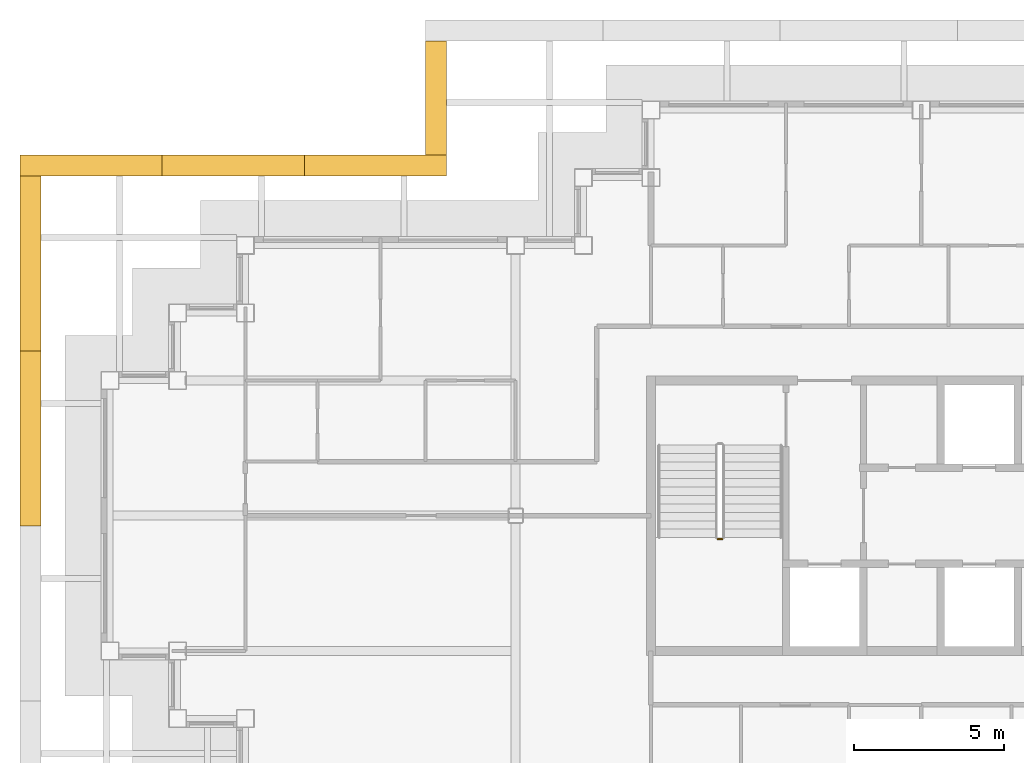
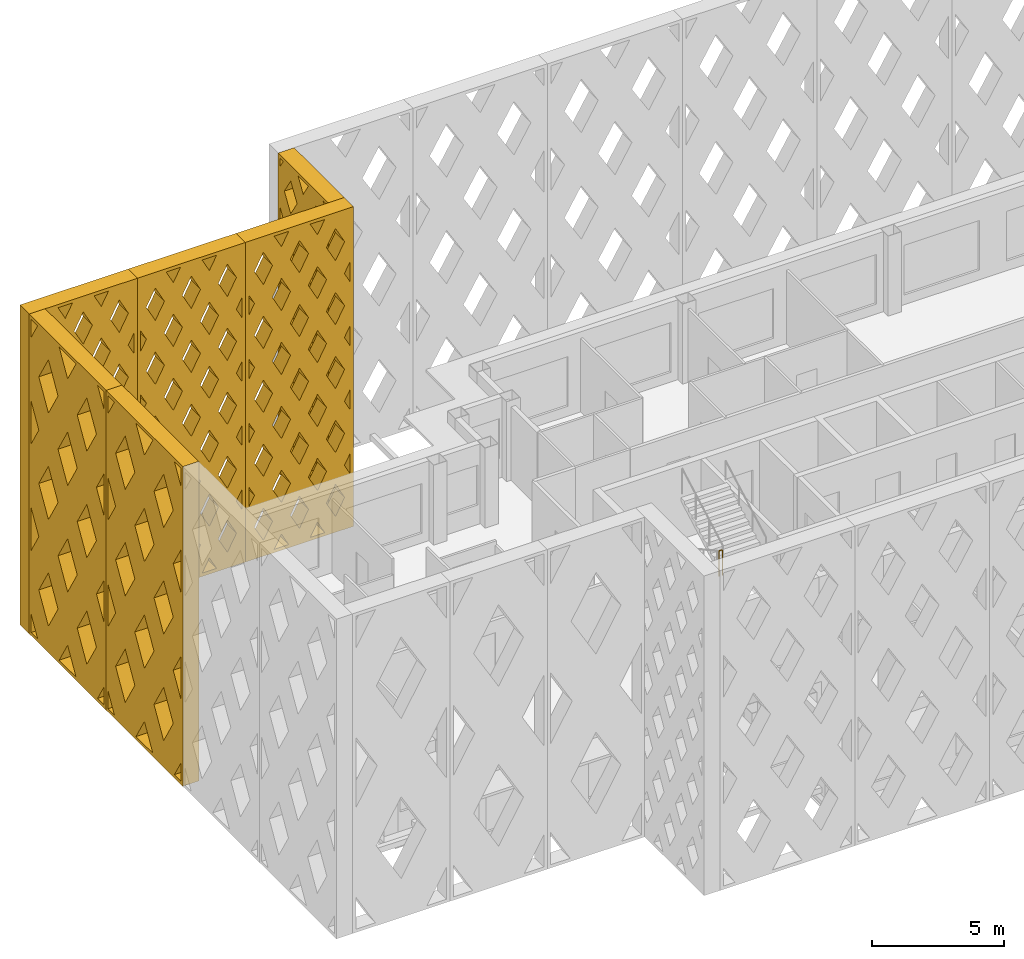
# One storey, part 10 of 15: 6 shading devices, 1 railing.
"""IFC4 building model written with IfcOpenShell, lengths in metres."""

from ifc_helpers import new_model, si_unit, direction, frame, origin, origin_2d, place, context, subcontext, project, spatial, polyline, circle, outline, extrude, material, type_object, element, save


model = new_model("IFC4")

# Units and contexts
model_context = context("Model", 3, precision=1e-05, world=origin(), true_north=direction((0.0, 1.0)))
body_context = subcontext(model_context, "Body", "Model", "MODEL_VIEW")
ifc_project = project(units=[si_unit("LENGTHUNIT", "METRE"), si_unit("AREAUNIT", "SQUARE_METRE"), si_unit("VOLUMEUNIT", "CUBIC_METRE"), si_unit("PLANEANGLEUNIT", "RADIAN"), si_unit("MASSUNIT", "GRAM", prefix="KILO")], contexts=[model_context])

# Site, building, storey
site_placement = place(None, origin())
site = spatial("IfcSite", under=ifc_project, at=site_placement, CompositionType="ELEMENT")
building_placement = place(site_placement, origin())
building = spatial("IfcBuilding", under=site, at=building_placement, Name="Caravel Reach Hotel and Residences", CompositionType="ELEMENT")
storey_placement = place(building_placement, frame((0.0, 0.0, 252.699951171875)))
storey = spatial("IfcBuildingStorey", under=building, at=storey_placement, Name="L64", CompositionType="ELEMENT", Elevation=252.699951171875)

# Shading devices
ifc_material_1 = material(Name="Black powder-coated aluminium", Category="aluminium")
shading_device_type_1 = type_object("IfcShadingDeviceType", Name="Diamond lattice screen panel 3800 x 14800", PredefinedType="USERDEFINED", material=ifc_material_1)
shading_device_1_placement = place(storey_placement, frame((11.199951171875, 42.800048828125, 0.0), z_axis=(-1.0, 0.0, 0.0), x_axis=(0.0, -1.0, 0.0)))
element("IfcShadingDevice", 1, at=shading_device_1_placement, inside=storey, type_object=shading_device_type_1, Name="Lattice screen L64-L67 6.1", ObjectType="SCREEN", PredefinedType="USERDEFINED", context=body_context, shape_type="SweptSolid", body=[
    extrude(outline(polyline([(0.0, 0.0), (3.800048828125, 0.0), (3.800048828125, 14.800048828125), (0.0, 14.800048828125), (0.0, 0.0)]), holes=[polyline([(0.389892578125, 0.14990234375), (0.14990234375, 0.523681640625), (0.14990234375, 0.14990234375), (0.389892578125, 0.14990234375)]), polyline([(0.486083984375, 2.9599609375), (0.14990234375, 3.483642578125), (0.14990234375, 2.436279296875), (0.486083984375, 2.9599609375)]), polyline([(0.486083984375, 5.919921875), (0.14990234375, 6.44384765625), (0.14990234375, 5.396240234375), (0.486083984375, 5.919921875)]), polyline([(0.486083984375, 8.8798828125), (0.14990234375, 9.40380859375), (0.14990234375, 8.356201171875), (0.486083984375, 8.8798828125)]), polyline([(0.486083984375, 11.840087890625), (0.14990234375, 12.36376953125), (0.14990234375, 11.316162109375), (0.486083984375, 11.840087890625)]), polyline([(0.14990234375, 14.2763671875), (0.389892578125, 14.64990234375), (0.14990234375, 14.64990234375), (0.14990234375, 14.2763671875)]), polyline([(0.949951171875, 2.237548828125), (0.4638671875, 1.47998046875), (0.949951171875, 0.72265625), (1.436279296875, 1.47998046875), (0.949951171875, 2.237548828125)]), polyline([(0.949951171875, 5.197509765625), (0.4638671875, 4.43994140625), (0.949951171875, 3.6826171875), (1.436279296875, 4.43994140625), (0.949951171875, 5.197509765625)]), polyline([(0.949951171875, 8.157470703125), (0.4638671875, 7.39990234375), (0.949951171875, 6.642578125), (1.436279296875, 7.39990234375), (0.949951171875, 8.157470703125)]), polyline([(0.949951171875, 11.117431640625), (0.4638671875, 10.360107421875), (0.949951171875, 9.6025390625), (1.436279296875, 10.360107421875), (0.949951171875, 11.117431640625)]), polyline([(0.949951171875, 14.077392578125), (0.4638671875, 13.320068359375), (0.949951171875, 12.5625), (1.436279296875, 13.320068359375), (0.949951171875, 14.077392578125)]), polyline([(1.89990234375, 0.75732421875), (1.510009765625, 0.14990234375), (2.289794921875, 0.14990234375), (1.89990234375, 0.75732421875)]), polyline([(1.89990234375, 3.717529296875), (1.413818359375, 2.9599609375), (1.89990234375, 2.20263671875), (2.38623046875, 2.9599609375), (1.89990234375, 3.717529296875)]), polyline([(1.89990234375, 6.677490234375), (1.413818359375, 5.919921875), (1.89990234375, 5.16259765625), (2.38623046875, 5.919921875), (1.89990234375, 6.677490234375)]), polyline([(1.89990234375, 9.637451171875), (1.413818359375, 8.8798828125), (1.89990234375, 8.12255859375), (2.38623046875, 8.8798828125), (1.89990234375, 9.637451171875)]), polyline([(1.89990234375, 12.597412109375), (1.413818359375, 11.840087890625), (1.89990234375, 11.08251953125), (2.38623046875, 11.840087890625), (1.89990234375, 12.597412109375)]), polyline([(1.89990234375, 14.04248046875), (2.289794921875, 14.64990234375), (1.510009765625, 14.64990234375), (1.89990234375, 14.04248046875)]), polyline([(2.85009765625, 2.237548828125), (2.36376953125, 1.47998046875), (2.85009765625, 0.72265625), (3.336181640625, 1.47998046875), (2.85009765625, 2.237548828125)]), polyline([(2.85009765625, 5.197509765625), (2.36376953125, 4.43994140625), (2.85009765625, 3.6826171875), (3.336181640625, 4.43994140625), (2.85009765625, 5.197509765625)]), polyline([(2.85009765625, 8.157470703125), (2.36376953125, 7.39990234375), (2.85009765625, 6.642578125), (3.336181640625, 7.39990234375), (2.85009765625, 8.157470703125)]), polyline([(2.85009765625, 11.117431640625), (2.36376953125, 10.360107421875), (2.85009765625, 9.6025390625), (3.336181640625, 10.360107421875), (2.85009765625, 11.117431640625)]), polyline([(2.85009765625, 14.077392578125), (2.36376953125, 13.320068359375), (2.85009765625, 12.5625), (3.336181640625, 13.320068359375), (2.85009765625, 14.077392578125)]), polyline([(3.64990234375, 0.523681640625), (3.41015625, 0.14990234375), (3.64990234375, 0.14990234375), (3.64990234375, 0.523681640625)]), polyline([(3.313720703125, 2.9599609375), (3.64990234375, 2.436279296875), (3.64990234375, 3.483642578125), (3.313720703125, 2.9599609375)]), polyline([(3.313720703125, 5.919921875), (3.64990234375, 5.396240234375), (3.64990234375, 6.44384765625), (3.313720703125, 5.919921875)]), polyline([(3.313720703125, 8.8798828125), (3.64990234375, 8.356201171875), (3.64990234375, 9.40380859375), (3.313720703125, 8.8798828125)]), polyline([(3.313720703125, 11.840087890625), (3.64990234375, 11.316162109375), (3.64990234375, 12.36376953125), (3.313720703125, 11.840087890625)]), polyline([(3.41015625, 14.64990234375), (3.64990234375, 14.2763671875), (3.64990234375, 14.64990234375), (3.41015625, 14.64990234375)])]), origin(), (0.0, 0.0, 1.0), 0.699951171875),
])
ifc_material_2 = material(Name="Black powder-coated aluminium", Category="aluminium")
shading_device_type_2 = type_object("IfcShadingDeviceType", Name="Diamond lattice screen panel 4733 x 14800", PredefinedType="USERDEFINED", material=ifc_material_2)
shading_device_2_placement = place(storey_placement, frame((11.199951171875, 38.300048828125, 0.0), z_axis=(0.0, 1.0, 0.0), x_axis=(-1.0, 0.0, 0.0)))
element("IfcShadingDevice", 2, at=shading_device_2_placement, inside=storey, type_object=shading_device_type_2, Name="Lattice screen L64-L67 7.1", ObjectType="SCREEN", PredefinedType="USERDEFINED", context=body_context, shape_type="SweptSolid", body=[
    extrude(outline(polyline([(0.0, 0.0), (4.7333984375, 0.0), (4.7333984375, 14.800048828125), (0.0, 14.800048828125), (0.0, 0.0)]), holes=[polyline([(0.398681640625, 2.9599609375), (0.14990234375, 3.4267578125), (0.14990234375, 2.493408203125), (0.398681640625, 2.9599609375)]), polyline([(0.398681640625, 5.919921875), (0.14990234375, 6.38671875), (0.14990234375, 5.453369140625), (0.398681640625, 5.919921875)]), polyline([(0.398681640625, 8.8798828125), (0.14990234375, 9.3466796875), (0.14990234375, 8.413330078125), (0.398681640625, 8.8798828125)]), polyline([(0.398681640625, 11.840087890625), (0.14990234375, 12.306640625), (0.14990234375, 11.373291015625), (0.398681640625, 11.840087890625)]), polyline([(0.788818359375, 2.22802734375), (0.39013671875, 1.47998046875), (0.788818359375, 0.73193359375), (1.187744140625, 1.47998046875), (0.788818359375, 2.22802734375)]), polyline([(0.788818359375, 5.18798828125), (0.39013671875, 4.43994140625), (0.788818359375, 3.69189453125), (1.187744140625, 4.43994140625), (0.788818359375, 5.18798828125)]), polyline([(0.788818359375, 8.14794921875), (0.39013671875, 7.39990234375), (0.788818359375, 6.65185546875), (1.187744140625, 7.39990234375), (0.788818359375, 8.14794921875)]), polyline([(0.788818359375, 11.108154296875), (0.39013671875, 10.360107421875), (0.788818359375, 9.612060546875), (1.187744140625, 10.360107421875), (0.788818359375, 11.108154296875)]), polyline([(0.788818359375, 14.068115234375), (0.39013671875, 13.320068359375), (0.788818359375, 12.572021484375), (1.187744140625, 13.320068359375), (0.788818359375, 14.068115234375)]), polyline([(1.577880859375, 0.748046875), (1.259033203125, 0.14990234375), (1.896484375, 0.14990234375), (1.577880859375, 0.748046875)]), polyline([(1.577880859375, 3.7080078125), (1.178955078125, 2.9599609375), (1.577880859375, 2.2119140625), (1.9765625, 2.9599609375), (1.577880859375, 3.7080078125)]), polyline([(1.577880859375, 6.66796875), (1.178955078125, 5.919921875), (1.577880859375, 5.171875), (1.9765625, 5.919921875), (1.577880859375, 6.66796875)]), polyline([(1.577880859375, 9.6279296875), (1.178955078125, 8.8798828125), (1.577880859375, 8.1318359375), (1.9765625, 8.8798828125), (1.577880859375, 9.6279296875)]), polyline([(1.577880859375, 12.588134765625), (1.178955078125, 11.840087890625), (1.577880859375, 11.092041015625), (1.9765625, 11.840087890625), (1.577880859375, 12.588134765625)]), polyline([(1.577880859375, 14.052001953125), (1.896484375, 14.64990234375), (1.259033203125, 14.64990234375), (1.577880859375, 14.052001953125)]), polyline([(2.36669921875, 2.22802734375), (1.968017578125, 1.47998046875), (2.36669921875, 0.73193359375), (2.765380859375, 1.47998046875), (2.36669921875, 2.22802734375)]), polyline([(2.36669921875, 5.18798828125), (1.968017578125, 4.43994140625), (2.36669921875, 3.69189453125), (2.765380859375, 4.43994140625), (2.36669921875, 5.18798828125)]), polyline([(2.36669921875, 8.14794921875), (1.968017578125, 7.39990234375), (2.36669921875, 6.65185546875), (2.765380859375, 7.39990234375), (2.36669921875, 8.14794921875)]), polyline([(2.36669921875, 11.108154296875), (1.968017578125, 10.360107421875), (2.36669921875, 9.612060546875), (2.765380859375, 10.360107421875), (2.36669921875, 11.108154296875)]), polyline([(2.36669921875, 14.068115234375), (1.968017578125, 13.320068359375), (2.36669921875, 12.572021484375), (2.765380859375, 13.320068359375), (2.36669921875, 14.068115234375)]), polyline([(3.155517578125, 0.748046875), (2.836669921875, 0.14990234375), (3.474365234375, 0.14990234375), (3.155517578125, 0.748046875)]), polyline([(3.155517578125, 3.7080078125), (2.7568359375, 2.9599609375), (3.155517578125, 2.2119140625), (3.55419921875, 2.9599609375), (3.155517578125, 3.7080078125)]), polyline([(3.155517578125, 6.66796875), (2.7568359375, 5.919921875), (3.155517578125, 5.171875), (3.55419921875, 5.919921875), (3.155517578125, 6.66796875)]), polyline([(3.155517578125, 9.6279296875), (2.7568359375, 8.8798828125), (3.155517578125, 8.1318359375), (3.55419921875, 8.8798828125), (3.155517578125, 9.6279296875)]), polyline([(3.155517578125, 12.588134765625), (2.7568359375, 11.840087890625), (3.155517578125, 11.092041015625), (3.55419921875, 11.840087890625), (3.155517578125, 12.588134765625)]), polyline([(3.155517578125, 14.052001953125), (3.474365234375, 14.64990234375), (2.836669921875, 14.64990234375), (3.155517578125, 14.052001953125)]), polyline([(3.9443359375, 2.22802734375), (3.545654296875, 1.47998046875), (3.9443359375, 0.73193359375), (4.34326171875, 1.47998046875), (3.9443359375, 2.22802734375)]), polyline([(3.9443359375, 5.18798828125), (3.545654296875, 4.43994140625), (3.9443359375, 3.69189453125), (4.34326171875, 4.43994140625), (3.9443359375, 5.18798828125)]), polyline([(3.9443359375, 8.14794921875), (3.545654296875, 7.39990234375), (3.9443359375, 6.65185546875), (4.34326171875, 7.39990234375), (3.9443359375, 8.14794921875)]), polyline([(3.9443359375, 11.108154296875), (3.545654296875, 10.360107421875), (3.9443359375, 9.612060546875), (4.34326171875, 10.360107421875), (3.9443359375, 11.108154296875)]), polyline([(3.9443359375, 14.068115234375), (3.545654296875, 13.320068359375), (3.9443359375, 12.572021484375), (4.34326171875, 13.320068359375), (3.9443359375, 14.068115234375)]), polyline([(4.334716796875, 2.9599609375), (4.583251953125, 2.493408203125), (4.583251953125, 3.4267578125), (4.334716796875, 2.9599609375)]), polyline([(4.334716796875, 5.919921875), (4.583251953125, 5.453369140625), (4.583251953125, 6.38671875), (4.334716796875, 5.919921875)]), polyline([(4.334716796875, 8.8798828125), (4.583251953125, 8.413330078125), (4.583251953125, 9.3466796875), (4.334716796875, 8.8798828125)]), polyline([(4.334716796875, 11.840087890625), (4.583251953125, 11.373291015625), (4.583251953125, 12.306640625), (4.334716796875, 11.840087890625)])]), origin(), (0.0, 0.0, 1.0), 0.699951171875),
])
shading_device_3_placement = place(storey_placement, frame((6.466552734375, 38.300048828125, 0.0), z_axis=(0.0, 1.0, 0.0), x_axis=(-1.0, 0.0, 0.0)))
element("IfcShadingDevice", 3, at=shading_device_3_placement, inside=storey, type_object=shading_device_type_2, Name="Lattice screen L64-L67 7.2", ObjectType="SCREEN", PredefinedType="USERDEFINED", context=body_context, shape_type="SweptSolid", body=[
    extrude(outline(polyline([(0.0, 0.0), (4.7333984375, 0.0), (4.7333984375, 14.800048828125), (0.0, 14.800048828125), (0.0, 0.0)]), holes=[polyline([(0.398681640625, 2.9599609375), (0.14990234375, 3.4267578125), (0.14990234375, 2.493408203125), (0.398681640625, 2.9599609375)]), polyline([(0.398681640625, 5.919921875), (0.14990234375, 6.38671875), (0.14990234375, 5.453369140625), (0.398681640625, 5.919921875)]), polyline([(0.398681640625, 8.8798828125), (0.14990234375, 9.3466796875), (0.14990234375, 8.413330078125), (0.398681640625, 8.8798828125)]), polyline([(0.398681640625, 11.840087890625), (0.14990234375, 12.306640625), (0.14990234375, 11.373291015625), (0.398681640625, 11.840087890625)]), polyline([(0.788818359375, 2.22802734375), (0.39013671875, 1.47998046875), (0.788818359375, 0.73193359375), (1.187744140625, 1.47998046875), (0.788818359375, 2.22802734375)]), polyline([(0.788818359375, 5.18798828125), (0.39013671875, 4.43994140625), (0.788818359375, 3.69189453125), (1.187744140625, 4.43994140625), (0.788818359375, 5.18798828125)]), polyline([(0.788818359375, 8.14794921875), (0.39013671875, 7.39990234375), (0.788818359375, 6.65185546875), (1.187744140625, 7.39990234375), (0.788818359375, 8.14794921875)]), polyline([(0.788818359375, 11.108154296875), (0.39013671875, 10.360107421875), (0.788818359375, 9.612060546875), (1.187744140625, 10.360107421875), (0.788818359375, 11.108154296875)]), polyline([(0.788818359375, 14.068115234375), (0.39013671875, 13.320068359375), (0.788818359375, 12.572021484375), (1.187744140625, 13.320068359375), (0.788818359375, 14.068115234375)]), polyline([(1.577880859375, 0.748046875), (1.259033203125, 0.14990234375), (1.896484375, 0.14990234375), (1.577880859375, 0.748046875)]), polyline([(1.577880859375, 3.7080078125), (1.178955078125, 2.9599609375), (1.577880859375, 2.2119140625), (1.9765625, 2.9599609375), (1.577880859375, 3.7080078125)]), polyline([(1.577880859375, 6.66796875), (1.178955078125, 5.919921875), (1.577880859375, 5.171875), (1.9765625, 5.919921875), (1.577880859375, 6.66796875)]), polyline([(1.577880859375, 9.6279296875), (1.178955078125, 8.8798828125), (1.577880859375, 8.1318359375), (1.9765625, 8.8798828125), (1.577880859375, 9.6279296875)]), polyline([(1.577880859375, 12.588134765625), (1.178955078125, 11.840087890625), (1.577880859375, 11.092041015625), (1.9765625, 11.840087890625), (1.577880859375, 12.588134765625)]), polyline([(1.577880859375, 14.052001953125), (1.896484375, 14.64990234375), (1.259033203125, 14.64990234375), (1.577880859375, 14.052001953125)]), polyline([(2.36669921875, 2.22802734375), (1.968017578125, 1.47998046875), (2.36669921875, 0.73193359375), (2.765380859375, 1.47998046875), (2.36669921875, 2.22802734375)]), polyline([(2.36669921875, 5.18798828125), (1.968017578125, 4.43994140625), (2.36669921875, 3.69189453125), (2.765380859375, 4.43994140625), (2.36669921875, 5.18798828125)]), polyline([(2.36669921875, 8.14794921875), (1.968017578125, 7.39990234375), (2.36669921875, 6.65185546875), (2.765380859375, 7.39990234375), (2.36669921875, 8.14794921875)]), polyline([(2.36669921875, 11.108154296875), (1.968017578125, 10.360107421875), (2.36669921875, 9.612060546875), (2.765380859375, 10.360107421875), (2.36669921875, 11.108154296875)]), polyline([(2.36669921875, 14.068115234375), (1.968017578125, 13.320068359375), (2.36669921875, 12.572021484375), (2.765380859375, 13.320068359375), (2.36669921875, 14.068115234375)]), polyline([(3.155517578125, 0.748046875), (2.836669921875, 0.14990234375), (3.474365234375, 0.14990234375), (3.155517578125, 0.748046875)]), polyline([(3.155517578125, 3.7080078125), (2.7568359375, 2.9599609375), (3.155517578125, 2.2119140625), (3.55419921875, 2.9599609375), (3.155517578125, 3.7080078125)]), polyline([(3.155517578125, 6.66796875), (2.7568359375, 5.919921875), (3.155517578125, 5.171875), (3.55419921875, 5.919921875), (3.155517578125, 6.66796875)]), polyline([(3.155517578125, 9.6279296875), (2.7568359375, 8.8798828125), (3.155517578125, 8.1318359375), (3.55419921875, 8.8798828125), (3.155517578125, 9.6279296875)]), polyline([(3.155517578125, 12.588134765625), (2.7568359375, 11.840087890625), (3.155517578125, 11.092041015625), (3.55419921875, 11.840087890625), (3.155517578125, 12.588134765625)]), polyline([(3.155517578125, 14.052001953125), (3.474365234375, 14.64990234375), (2.836669921875, 14.64990234375), (3.155517578125, 14.052001953125)]), polyline([(3.9443359375, 2.22802734375), (3.545654296875, 1.47998046875), (3.9443359375, 0.73193359375), (4.34326171875, 1.47998046875), (3.9443359375, 2.22802734375)]), polyline([(3.9443359375, 5.18798828125), (3.545654296875, 4.43994140625), (3.9443359375, 3.69189453125), (4.34326171875, 4.43994140625), (3.9443359375, 5.18798828125)]), polyline([(3.9443359375, 8.14794921875), (3.545654296875, 7.39990234375), (3.9443359375, 6.65185546875), (4.34326171875, 7.39990234375), (3.9443359375, 8.14794921875)]), polyline([(3.9443359375, 11.108154296875), (3.545654296875, 10.360107421875), (3.9443359375, 9.612060546875), (4.34326171875, 10.360107421875), (3.9443359375, 11.108154296875)]), polyline([(3.9443359375, 14.068115234375), (3.545654296875, 13.320068359375), (3.9443359375, 12.572021484375), (4.34326171875, 13.320068359375), (3.9443359375, 14.068115234375)]), polyline([(4.334716796875, 2.9599609375), (4.583251953125, 2.493408203125), (4.583251953125, 3.4267578125), (4.334716796875, 2.9599609375)]), polyline([(4.334716796875, 5.919921875), (4.583251953125, 5.453369140625), (4.583251953125, 6.38671875), (4.334716796875, 5.919921875)]), polyline([(4.334716796875, 8.8798828125), (4.583251953125, 8.413330078125), (4.583251953125, 9.3466796875), (4.334716796875, 8.8798828125)]), polyline([(4.334716796875, 11.840087890625), (4.583251953125, 11.373291015625), (4.583251953125, 12.306640625), (4.334716796875, 11.840087890625)])]), origin(), (0.0, 0.0, 1.0), 0.699951171875),
])
shading_device_4_placement = place(storey_placement, frame((1.7333984375, 38.300048828125, 0.0), z_axis=(0.0, 1.0, 0.0), x_axis=(-1.0, 0.0, 0.0)))
element("IfcShadingDevice", 4, at=shading_device_4_placement, inside=storey, type_object=shading_device_type_2, Name="Lattice screen L64-L67 7.3", ObjectType="SCREEN", PredefinedType="USERDEFINED", context=body_context, shape_type="SweptSolid", body=[
    extrude(outline(polyline([(0.0, 0.0), (4.7333984375, 0.0), (4.7333984375, 14.800048828125), (0.0, 14.800048828125), (0.0, 0.0)]), holes=[polyline([(0.398681640625, 2.9599609375), (0.14990234375, 3.4267578125), (0.14990234375, 2.493408203125), (0.398681640625, 2.9599609375)]), polyline([(0.398681640625, 5.919921875), (0.14990234375, 6.38671875), (0.14990234375, 5.453369140625), (0.398681640625, 5.919921875)]), polyline([(0.398681640625, 8.8798828125), (0.14990234375, 9.3466796875), (0.14990234375, 8.413330078125), (0.398681640625, 8.8798828125)]), polyline([(0.398681640625, 11.840087890625), (0.14990234375, 12.306640625), (0.14990234375, 11.373291015625), (0.398681640625, 11.840087890625)]), polyline([(0.788818359375, 2.22802734375), (0.39013671875, 1.47998046875), (0.788818359375, 0.73193359375), (1.187744140625, 1.47998046875), (0.788818359375, 2.22802734375)]), polyline([(0.788818359375, 5.18798828125), (0.39013671875, 4.43994140625), (0.788818359375, 3.69189453125), (1.187744140625, 4.43994140625), (0.788818359375, 5.18798828125)]), polyline([(0.788818359375, 8.14794921875), (0.39013671875, 7.39990234375), (0.788818359375, 6.65185546875), (1.187744140625, 7.39990234375), (0.788818359375, 8.14794921875)]), polyline([(0.788818359375, 11.108154296875), (0.39013671875, 10.360107421875), (0.788818359375, 9.612060546875), (1.187744140625, 10.360107421875), (0.788818359375, 11.108154296875)]), polyline([(0.788818359375, 14.068115234375), (0.39013671875, 13.320068359375), (0.788818359375, 12.572021484375), (1.187744140625, 13.320068359375), (0.788818359375, 14.068115234375)]), polyline([(1.577880859375, 0.748046875), (1.259033203125, 0.14990234375), (1.896484375, 0.14990234375), (1.577880859375, 0.748046875)]), polyline([(1.577880859375, 3.7080078125), (1.178955078125, 2.9599609375), (1.577880859375, 2.2119140625), (1.9765625, 2.9599609375), (1.577880859375, 3.7080078125)]), polyline([(1.577880859375, 6.66796875), (1.178955078125, 5.919921875), (1.577880859375, 5.171875), (1.9765625, 5.919921875), (1.577880859375, 6.66796875)]), polyline([(1.577880859375, 9.6279296875), (1.178955078125, 8.8798828125), (1.577880859375, 8.1318359375), (1.9765625, 8.8798828125), (1.577880859375, 9.6279296875)]), polyline([(1.577880859375, 12.588134765625), (1.178955078125, 11.840087890625), (1.577880859375, 11.092041015625), (1.9765625, 11.840087890625), (1.577880859375, 12.588134765625)]), polyline([(1.577880859375, 14.052001953125), (1.896484375, 14.64990234375), (1.259033203125, 14.64990234375), (1.577880859375, 14.052001953125)]), polyline([(2.36669921875, 2.22802734375), (1.968017578125, 1.47998046875), (2.36669921875, 0.73193359375), (2.765380859375, 1.47998046875), (2.36669921875, 2.22802734375)]), polyline([(2.36669921875, 5.18798828125), (1.968017578125, 4.43994140625), (2.36669921875, 3.69189453125), (2.765380859375, 4.43994140625), (2.36669921875, 5.18798828125)]), polyline([(2.36669921875, 8.14794921875), (1.968017578125, 7.39990234375), (2.36669921875, 6.65185546875), (2.765380859375, 7.39990234375), (2.36669921875, 8.14794921875)]), polyline([(2.36669921875, 11.108154296875), (1.968017578125, 10.360107421875), (2.36669921875, 9.612060546875), (2.765380859375, 10.360107421875), (2.36669921875, 11.108154296875)]), polyline([(2.36669921875, 14.068115234375), (1.968017578125, 13.320068359375), (2.36669921875, 12.572021484375), (2.765380859375, 13.320068359375), (2.36669921875, 14.068115234375)]), polyline([(3.155517578125, 0.748046875), (2.836669921875, 0.14990234375), (3.474365234375, 0.14990234375), (3.155517578125, 0.748046875)]), polyline([(3.155517578125, 3.7080078125), (2.7568359375, 2.9599609375), (3.155517578125, 2.2119140625), (3.55419921875, 2.9599609375), (3.155517578125, 3.7080078125)]), polyline([(3.155517578125, 6.66796875), (2.7568359375, 5.919921875), (3.155517578125, 5.171875), (3.55419921875, 5.919921875), (3.155517578125, 6.66796875)]), polyline([(3.155517578125, 9.6279296875), (2.7568359375, 8.8798828125), (3.155517578125, 8.1318359375), (3.55419921875, 8.8798828125), (3.155517578125, 9.6279296875)]), polyline([(3.155517578125, 12.588134765625), (2.7568359375, 11.840087890625), (3.155517578125, 11.092041015625), (3.55419921875, 11.840087890625), (3.155517578125, 12.588134765625)]), polyline([(3.155517578125, 14.052001953125), (3.474365234375, 14.64990234375), (2.836669921875, 14.64990234375), (3.155517578125, 14.052001953125)]), polyline([(3.9443359375, 2.22802734375), (3.545654296875, 1.47998046875), (3.9443359375, 0.73193359375), (4.34326171875, 1.47998046875), (3.9443359375, 2.22802734375)]), polyline([(3.9443359375, 5.18798828125), (3.545654296875, 4.43994140625), (3.9443359375, 3.69189453125), (4.34326171875, 4.43994140625), (3.9443359375, 5.18798828125)]), polyline([(3.9443359375, 8.14794921875), (3.545654296875, 7.39990234375), (3.9443359375, 6.65185546875), (4.34326171875, 7.39990234375), (3.9443359375, 8.14794921875)]), polyline([(3.9443359375, 11.108154296875), (3.545654296875, 10.360107421875), (3.9443359375, 9.612060546875), (4.34326171875, 10.360107421875), (3.9443359375, 11.108154296875)]), polyline([(3.9443359375, 14.068115234375), (3.545654296875, 13.320068359375), (3.9443359375, 12.572021484375), (4.34326171875, 13.320068359375), (3.9443359375, 14.068115234375)]), polyline([(4.334716796875, 2.9599609375), (4.583251953125, 2.493408203125), (4.583251953125, 3.4267578125), (4.334716796875, 2.9599609375)]), polyline([(4.334716796875, 5.919921875), (4.583251953125, 5.453369140625), (4.583251953125, 6.38671875), (4.334716796875, 5.919921875)]), polyline([(4.334716796875, 8.8798828125), (4.583251953125, 8.413330078125), (4.583251953125, 9.3466796875), (4.334716796875, 8.8798828125)]), polyline([(4.334716796875, 11.840087890625), (4.583251953125, 11.373291015625), (4.583251953125, 12.306640625), (4.334716796875, 11.840087890625)])]), origin(), (0.0, 0.0, 1.0), 0.699951171875),
])
ifc_material_3 = material(Name="Black powder-coated aluminium", Category="aluminium")
shading_device_type_3 = type_object("IfcShadingDeviceType", Name="Diamond lattice screen panel 5825 x 14800", PredefinedType="USERDEFINED", material=ifc_material_3)
shading_device_5_placement = place(storey_placement, frame((-2.300048828125, 38.300048828125, 0.0), z_axis=(-1.0, 0.0, 0.0), x_axis=(0.0, -1.0, 0.0)))
element("IfcShadingDevice", 5, at=shading_device_5_placement, inside=storey, type_object=shading_device_type_3, Name="Lattice screen L64-L67 8.1", ObjectType="SCREEN", PredefinedType="USERDEFINED", context=body_context, shape_type="SweptSolid", body=[
    extrude(outline(polyline([(0.0, 0.0), (5.824951171875, 0.0), (5.824951171875, 14.800048828125), (0.0, 14.800048828125), (0.0, 0.0)]), holes=[polyline([(0.64208984375, 0.14990234375), (0.14990234375, 0.9833984375), (0.14990234375, 0.14990234375), (0.64208984375, 0.14990234375)]), polyline([(0.730712890625, 4.933349609375), (0.14990234375, 5.916748046875), (0.14990234375, 3.949951171875), (0.730712890625, 4.933349609375)]), polyline([(0.730712890625, 9.86669921875), (0.14990234375, 10.85009765625), (0.14990234375, 8.88330078125), (0.730712890625, 9.86669921875)]), polyline([(0.14990234375, 13.816650390625), (0.64208984375, 14.64990234375), (0.14990234375, 14.64990234375), (0.14990234375, 13.816650390625)]), polyline([(1.456298828125, 3.7041015625), (0.7255859375, 2.466552734375), (1.456298828125, 1.229248046875), (2.186767578125, 2.466552734375), (1.456298828125, 3.7041015625)]), polyline([(1.456298828125, 8.637451171875), (0.7255859375, 7.39990234375), (1.456298828125, 6.16259765625), (2.186767578125, 7.39990234375), (1.456298828125, 8.637451171875)]), polyline([(1.456298828125, 13.57080078125), (0.7255859375, 12.333251953125), (1.456298828125, 11.095703125), (2.186767578125, 12.333251953125), (1.456298828125, 13.57080078125)]), polyline([(2.91259765625, 1.237548828125), (2.2705078125, 0.14990234375), (3.554443359375, 0.14990234375), (2.91259765625, 1.237548828125)]), polyline([(2.91259765625, 6.1708984375), (2.181884765625, 4.933349609375), (2.91259765625, 3.69580078125), (3.64306640625, 4.933349609375), (2.91259765625, 6.1708984375)]), polyline([(2.91259765625, 11.104248046875), (2.181884765625, 9.86669921875), (2.91259765625, 8.629150390625), (3.64306640625, 9.86669921875), (2.91259765625, 11.104248046875)]), polyline([(2.91259765625, 13.5625), (3.554443359375, 14.64990234375), (2.2705078125, 14.64990234375), (2.91259765625, 13.5625)]), polyline([(4.36865234375, 3.7041015625), (3.63818359375, 2.466552734375), (4.36865234375, 1.229248046875), (5.099365234375, 2.466552734375), (4.36865234375, 3.7041015625)]), polyline([(4.36865234375, 8.637451171875), (3.63818359375, 7.39990234375), (4.36865234375, 6.16259765625), (5.099365234375, 7.39990234375), (4.36865234375, 8.637451171875)]), polyline([(4.36865234375, 13.57080078125), (3.63818359375, 12.333251953125), (4.36865234375, 11.095703125), (5.099365234375, 12.333251953125), (4.36865234375, 13.57080078125)]), polyline([(5.675048828125, 0.9833984375), (5.182861328125, 0.14990234375), (5.675048828125, 0.14990234375), (5.675048828125, 0.9833984375)]), polyline([(5.094482421875, 4.933349609375), (5.675048828125, 3.949951171875), (5.675048828125, 5.916748046875), (5.094482421875, 4.933349609375)]), polyline([(5.094482421875, 9.86669921875), (5.675048828125, 8.88330078125), (5.675048828125, 10.85009765625), (5.094482421875, 9.86669921875)]), polyline([(5.182861328125, 14.64990234375), (5.675048828125, 13.816650390625), (5.675048828125, 14.64990234375), (5.182861328125, 14.64990234375)])]), origin(), (0.0, 0.0, 1.0), 0.699951171875),
])
shading_device_6_placement = place(storey_placement, frame((-2.300048828125, 32.47509765625, 0.0), z_axis=(-1.0, 0.0, 0.0), x_axis=(0.0, -1.0, 0.0)))
element("IfcShadingDevice", 6, at=shading_device_6_placement, inside=storey, type_object=shading_device_type_3, Name="Lattice screen L64-L67 8.2", ObjectType="SCREEN", PredefinedType="USERDEFINED", context=body_context, shape_type="SweptSolid", body=[
    extrude(outline(polyline([(0.0, 0.0), (5.824951171875, 0.0), (5.824951171875, 14.800048828125), (0.0, 14.800048828125), (0.0, 0.0)]), holes=[polyline([(0.64208984375, 0.14990234375), (0.14990234375, 0.9833984375), (0.14990234375, 0.14990234375), (0.64208984375, 0.14990234375)]), polyline([(0.730712890625, 4.933349609375), (0.14990234375, 5.916748046875), (0.14990234375, 3.949951171875), (0.730712890625, 4.933349609375)]), polyline([(0.730712890625, 9.86669921875), (0.14990234375, 10.85009765625), (0.14990234375, 8.88330078125), (0.730712890625, 9.86669921875)]), polyline([(0.14990234375, 13.816650390625), (0.64208984375, 14.64990234375), (0.14990234375, 14.64990234375), (0.14990234375, 13.816650390625)]), polyline([(1.456298828125, 3.7041015625), (0.7255859375, 2.466552734375), (1.456298828125, 1.229248046875), (2.186767578125, 2.466552734375), (1.456298828125, 3.7041015625)]), polyline([(1.456298828125, 8.637451171875), (0.7255859375, 7.39990234375), (1.456298828125, 6.16259765625), (2.186767578125, 7.39990234375), (1.456298828125, 8.637451171875)]), polyline([(1.456298828125, 13.57080078125), (0.7255859375, 12.333251953125), (1.456298828125, 11.095703125), (2.186767578125, 12.333251953125), (1.456298828125, 13.57080078125)]), polyline([(2.91259765625, 1.237548828125), (2.2705078125, 0.14990234375), (3.554443359375, 0.14990234375), (2.91259765625, 1.237548828125)]), polyline([(2.91259765625, 6.1708984375), (2.181884765625, 4.933349609375), (2.91259765625, 3.69580078125), (3.64306640625, 4.933349609375), (2.91259765625, 6.1708984375)]), polyline([(2.91259765625, 11.104248046875), (2.181884765625, 9.86669921875), (2.91259765625, 8.629150390625), (3.64306640625, 9.86669921875), (2.91259765625, 11.104248046875)]), polyline([(2.91259765625, 13.5625), (3.554443359375, 14.64990234375), (2.2705078125, 14.64990234375), (2.91259765625, 13.5625)]), polyline([(4.36865234375, 3.7041015625), (3.63818359375, 2.466552734375), (4.36865234375, 1.229248046875), (5.099365234375, 2.466552734375), (4.36865234375, 3.7041015625)]), polyline([(4.36865234375, 8.637451171875), (3.63818359375, 7.39990234375), (4.36865234375, 6.16259765625), (5.099365234375, 7.39990234375), (4.36865234375, 8.637451171875)]), polyline([(4.36865234375, 13.57080078125), (3.63818359375, 12.333251953125), (4.36865234375, 11.095703125), (5.099365234375, 12.333251953125), (4.36865234375, 13.57080078125)]), polyline([(5.675048828125, 0.9833984375), (5.182861328125, 0.14990234375), (5.675048828125, 0.14990234375), (5.675048828125, 0.9833984375)]), polyline([(5.094482421875, 4.933349609375), (5.675048828125, 3.949951171875), (5.675048828125, 5.916748046875), (5.094482421875, 4.933349609375)]), polyline([(5.094482421875, 9.86669921875), (5.675048828125, 8.88330078125), (5.675048828125, 10.85009765625), (5.094482421875, 9.86669921875)]), polyline([(5.182861328125, 14.64990234375), (5.675048828125, 13.816650390625), (5.675048828125, 14.64990234375), (5.182861328125, 14.64990234375)])]), origin(), (0.0, 0.0, 1.0), 0.699951171875),
])

# Railing
ifc_material_4 = material(Name="Steel balustrade with glass infill", Category="steel")
railing_type = type_object("IfcRailingType", Name="Guard 1200", PredefinedType="GUARDRAIL", material=ifc_material_4)
railing_placement = place(storey_placement, frame((20.22509765625, 26.219970703125, 1.85009765625)))
element("IfcRailing", 7, at=railing_placement, inside=storey, type_object=railing_type, Name="L64 ST-A stair guard 2", PredefinedType="GUARDRAIL", context=body_context, shape_type="SweptSolid", body=[
    extrude(circle(Radius=0.02392578125, at=origin_2d()), frame((0.0, 0.0, 1.17578125), z_axis=(1.0, 0.0, 0.0), x_axis=(0.0, 1.0, 0.0)), (0.0, 0.0, 1.0), 0.14990234375),
    extrude(circle(Radius=0.02099609375, at=origin_2d()), origin(), (0.0, 0.0, 1.0), 1.15185546875),
    extrude(circle(Radius=0.02099609375, at=origin_2d()), frame((0.14990234375, 0.0, 0.0)), (0.0, 0.0, 1.0), 1.15185546875),
])

save(model, "model.ifc")
